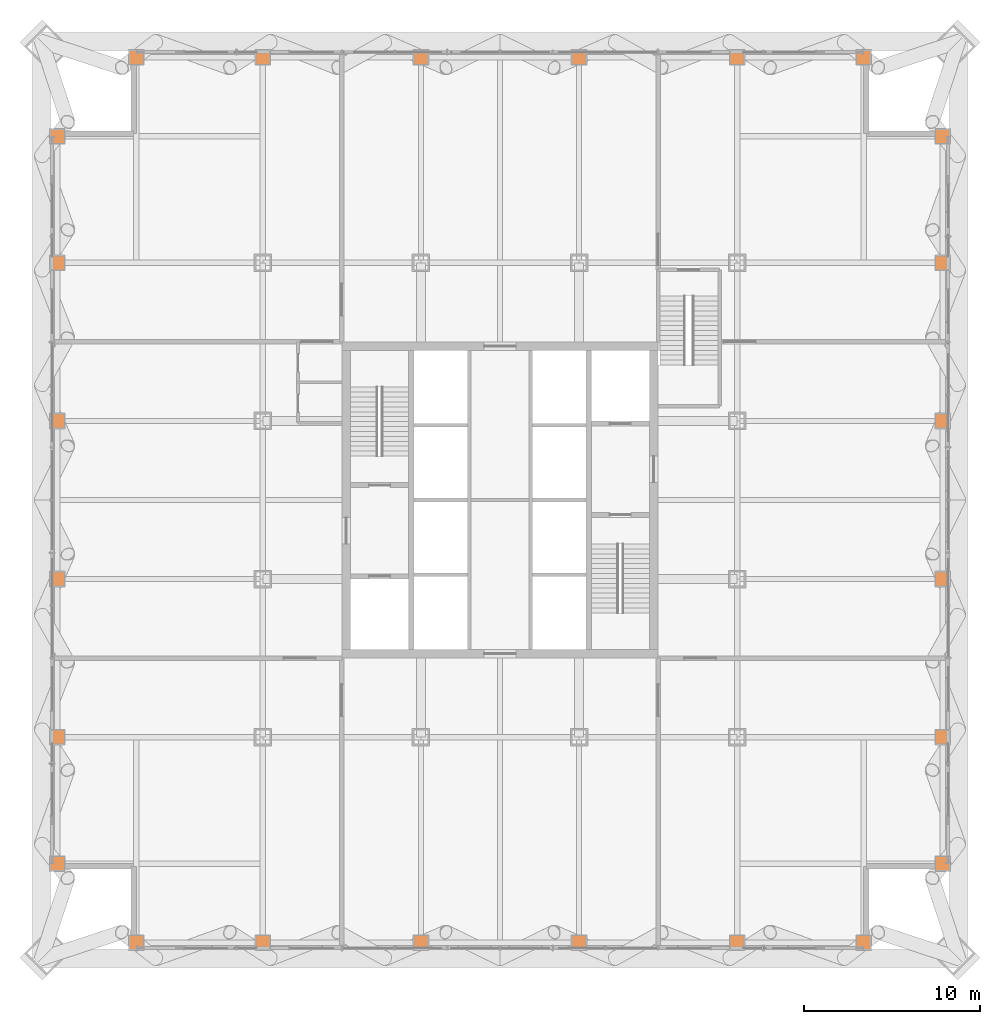
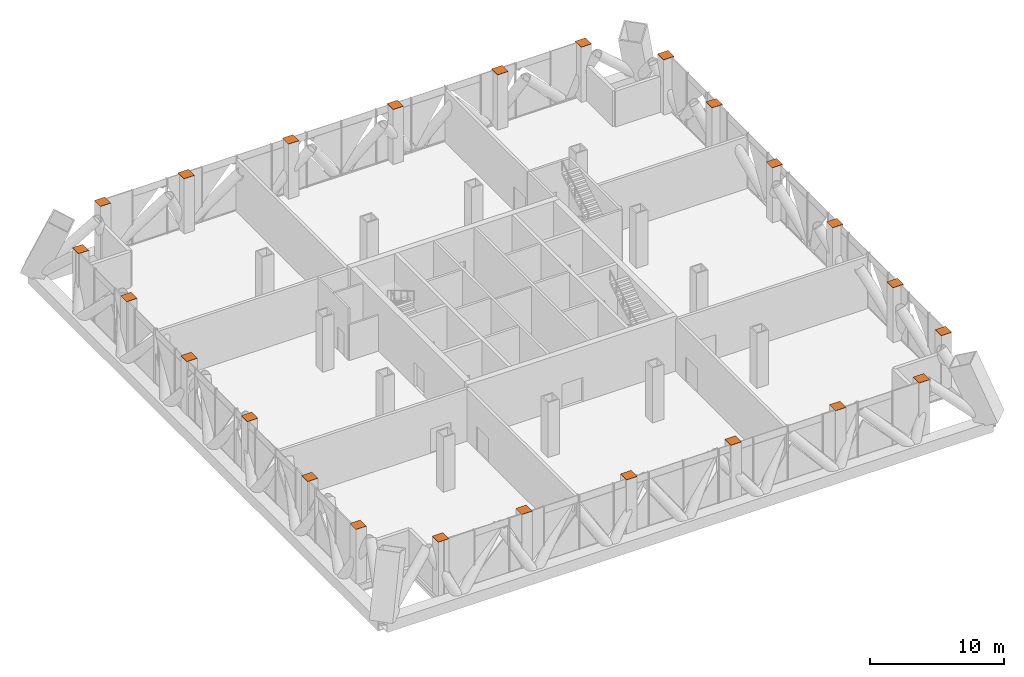
# One storey, part 26 of 26: 24 proxies.
"""IFC4 building model written with IfcOpenShell, lengths in metres."""

from ifc_helpers import new_model, si_unit, direction, frame, origin, origin_2d, place, context, subcontext, project, spatial, rectangle, extrude, material, layer, layer_set, type_object, element, save


model = new_model("IFC4")

# Units and contexts
model_context = context("Model", 3, precision=1e-05, world=origin(), true_north=direction((0.0, 1.0)))
body_context = subcontext(model_context, "Body", "Model", "MODEL_VIEW")
ifc_project = project(units=[si_unit("LENGTHUNIT", "METRE"), si_unit("AREAUNIT", "SQUARE_METRE"), si_unit("VOLUMEUNIT", "CUBIC_METRE"), si_unit("PLANEANGLEUNIT", "RADIAN"), si_unit("MASSUNIT", "GRAM", prefix="KILO")], contexts=[model_context])

# Site, building, storey
site_placement = place(None, origin())
site = spatial("IfcSite", under=ifc_project, at=site_placement, CompositionType="ELEMENT")
building_placement = place(site_placement, origin())
building = spatial("IfcBuilding", under=site, at=building_placement, Name="Malebo Sky Hospital", CompositionType="ELEMENT")
storey_placement = place(building_placement, frame((0.0, 0.0, 95.0)))
storey = spatial("IfcBuildingStorey", under=building, at=storey_placement, Name="L22", CompositionType="ELEMENT", Elevation=95.0)

# Proxies
ifc_material = material(Name="Steel S355", Category="steel")
ifc_layer = layer(ifc_material, 0.030029296875)
ifc_layer_set = layer_set([ifc_layer], Name="COLUMN CAP PLATE 900x900x30")
building_element_proxy_type = type_object("IfcBuildingElementProxyType", Name="COLUMN CAP PLATE 900x900x30", PredefinedType="USERDEFINED", material=ifc_layer_set)
for number, where, name in (
    (1, (85.199951171875, 75.5, -95.0), "Column cap plate PC8 L22"),
    (2, (85.199951171875, 82.699951171875, -95.0), "Column cap plate PC8 L22"),
    (3, (85.199951171875, 66.5, -95.0), "Column cap plate PC8 L22"),
    (4, (85.199951171875, 48.5, -95.0), "Column cap plate PC8 L22"),
    (5, (85.199951171875, 41.300048828125, -95.0), "Column cap plate PC8 L22"),
    (6, (85.199951171875, 57.5, -95.0), "Column cap plate PC8 L22"),
    (7, (73.5, 87.199951171875, -95.0), "Column cap plate PC8 L22"),
    (8, (80.699951171875, 87.199951171875, -95.0), "Column cap plate PC8 L22"),
    (9, (64.5, 87.199951171875, -95.0), "Column cap plate PC8 L22"),
    (10, (46.5, 87.199951171875, -95.0), "Column cap plate PC8 L22"),
    (11, (39.300048828125, 87.199951171875, -95.0), "Column cap plate PC8 L22"),
    (12, (55.5, 87.199951171875, -95.0), "Column cap plate PC8 L22"),
    (13, (73.5, 36.800048828125, -95.0), "Column cap plate PC8 L22"),
    (14, (80.699951171875, 36.800048828125, -95.0), "Column cap plate PC8 L22"),
    (15, (64.5, 36.800048828125, -95.0), "Column cap plate PC8 L22"),
    (16, (46.5, 36.800048828125, -95.0), "Column cap plate PC8 L22"),
    (17, (39.300048828125, 36.800048828125, -95.0), "Column cap plate PC8 L22"),
    (18, (55.5, 36.800048828125, -95.0), "Column cap plate PC8 L22"),
    (19, (34.800048828125, 75.5, -95.0), "Column cap plate PC8 L22"),
    (20, (34.800048828125, 82.699951171875, -95.0), "Column cap plate PC8 L22"),
    (21, (34.800048828125, 66.5, -95.0), "Column cap plate PC8 L22"),
    (22, (34.800048828125, 48.5, -95.0), "Column cap plate PC8 L22"),
    (23, (34.800048828125, 41.300048828125, -95.0), "Column cap plate PC8 L22"),
    (24, (34.800048828125, 57.5, -95.0), "Column cap plate PC8 L22"),
):
    element("IfcBuildingElementProxy", number, at=place(storey_placement, frame(where)), inside=storey, type_object=building_element_proxy_type, Name=name, ObjectType="COLUMN CAP PLATE", PredefinedType="USERDEFINED", context=body_context, shape_type="SweptSolid", body=[
        extrude(rectangle(XDim=0.89990234375, YDim=0.89990234375, at=origin_2d()), frame((0.0, 0.0, 100.0)), (0.0, 0.0, 1.0), 0.030029296875),
    ])

save(model, "model.ifc")
